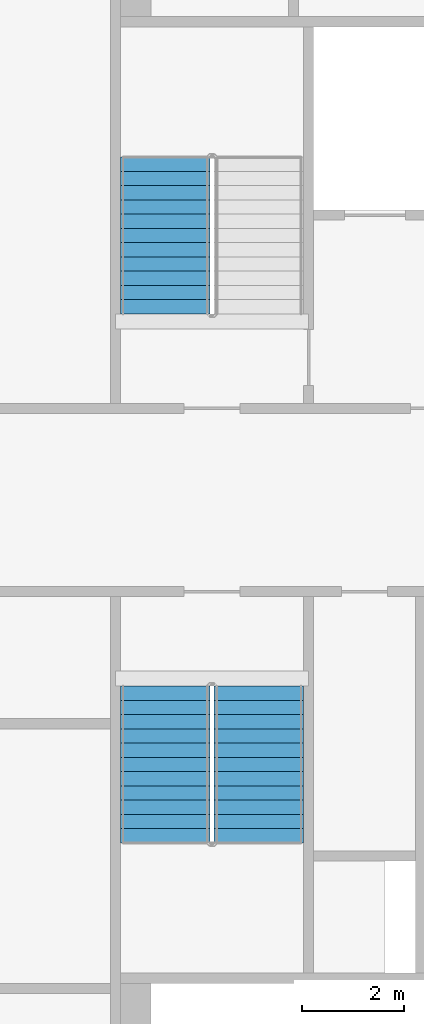
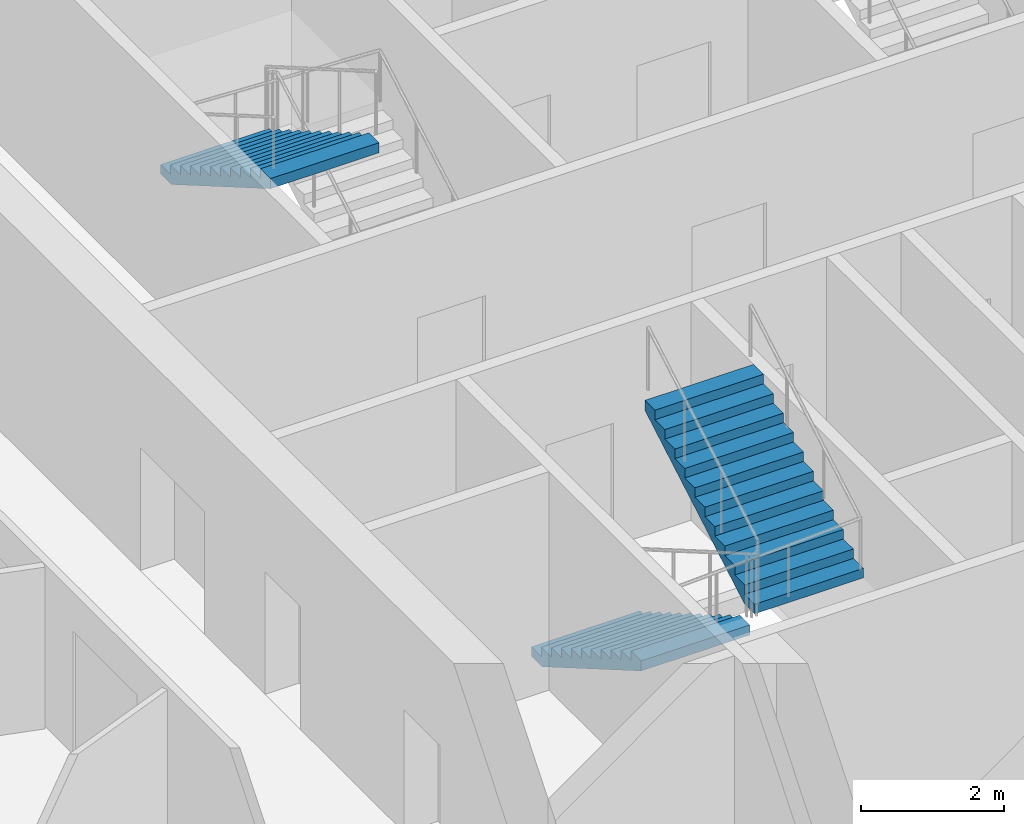
# One storey, part 8 of 15: 3 stair flights, 2 elements without a shape of their own.
"""IFC4 building model written with IfcOpenShell, lengths in metres."""

from ifc_helpers import new_model, si_unit, direction, frame, origin, place, context, subcontext, project, spatial, faceted_brep, material, type_object, element, aggregate, save


model = new_model("IFC4")

# Units and contexts
model_context = context("Model", 3, precision=1e-05, world=origin(), true_north=direction((0.0, 1.0)))
body_context = subcontext(model_context, "Body", "Model", "MODEL_VIEW")
ifc_project = project(units=[si_unit("LENGTHUNIT", "METRE"), si_unit("AREAUNIT", "SQUARE_METRE"), si_unit("VOLUMEUNIT", "CUBIC_METRE"), si_unit("PLANEANGLEUNIT", "RADIAN"), si_unit("MASSUNIT", "GRAM", prefix="KILO")], contexts=[model_context])

# Site, building, storey
site_placement = place(None, origin())
site = spatial("IfcSite", under=ifc_project, at=site_placement, CompositionType="ELEMENT")
building_placement = place(site_placement, origin())
building = spatial("IfcBuilding", under=site, at=building_placement, Name="Tarsis Ring Headquarters", CompositionType="ELEMENT")
storey_placement = place(building_placement, frame((0.0, 0.0, 219.89990234375)))
storey = spatial("IfcBuildingStorey", under=building, at=storey_placement, Name="L51", CompositionType="ELEMENT", Elevation=219.89990234375)

# Stair, stair flight
ifc_material_1 = material(Name="Core stair 1760")
stair_type = type_object("IfcStairType", Name="Core stair 1760", PredefinedType="HALF_TURN_STAIR", material=ifc_material_1)
stair_1_placement = place(storey_placement, origin())
stair_1 = element("IfcStair", 1, at=stair_1_placement, inside=storey, type_object=stair_type, Name="L51 Firefighting stair", PredefinedType="HALF_TURN_STAIR")
ifc_material_2 = material(Name="Concrete C40/50", Category="concrete")
stair_flight_type = type_object("IfcStairFlightType", Name="Core stair flight 1760", PredefinedType="STRAIGHT", material=ifc_material_2)
stair_flight_1_placement = place(storey_placement, frame((-5.419921875, 6.739990234375, 1.9501953125), z_axis=(0.0, 0.0, 1.0), x_axis=(0.0, -1.0, 0.0)))
stair_flight_1 = element("IfcStairFlight", 2, at=stair_flight_1_placement, type_object=stair_flight_type, Name="Stair ST1 flight 2", NumberOfRisers=12, NumberOfTreads=11, PredefinedType="STRAIGHT", RiserHeight=0.1625, TreadLength=0.28, context=body_context, shape_type="Brep", body=[
    faceted_brep([(0.0, 0.8798828125, 0.0), (0.0, 0.8798828125, 0.16259765625), (0.280029296875, 0.8798828125, 0.16259765625), (0.280029296875, 0.8798828125, 0.324951171875), (0.56005859375, 0.8798828125, 0.324951171875), (0.56005859375, 0.8798828125, 0.487548828125), (0.840087890625, 0.8798828125, 0.487548828125), (0.840087890625, 0.8798828125, 0.64990234375), (1.1201171875, 0.8798828125, 0.64990234375), (1.1201171875, 0.8798828125, 0.8125), (1.39990234375, 0.8798828125, 0.8125), (1.39990234375, 0.8798828125, 0.97509765625), (1.679931640625, 0.8798828125, 0.97509765625), (1.679931640625, 0.8798828125, 1.137451171875), (1.9599609375, 0.8798828125, 1.137451171875), (1.9599609375, 0.8798828125, 1.300048828125), (2.239990234375, 0.8798828125, 1.300048828125), (2.239990234375, 0.8798828125, 1.46240234375), (2.52001953125, 0.8798828125, 1.46240234375), (2.52001953125, 0.8798828125, 1.625), (2.800048828125, 0.8798828125, 1.625), (2.800048828125, 0.8798828125, 1.78759765625), (3.080078125, 0.8798828125, 1.78759765625), (3.080078125, 0.8798828125, 1.6142578125), (0.298583984375, 0.8798828125, 0.0), (0.298583984375, -0.8798828125, 0.0), (3.080078125, -0.8798828125, 1.6142578125), (3.080078125, -0.8798828125, 1.78759765625), (2.800048828125, -0.8798828125, 1.78759765625), (2.800048828125, -0.8798828125, 1.625), (2.52001953125, -0.8798828125, 1.625), (2.52001953125, -0.8798828125, 1.46240234375), (2.239990234375, -0.8798828125, 1.46240234375), (2.239990234375, -0.8798828125, 1.300048828125), (1.9599609375, -0.8798828125, 1.300048828125), (1.9599609375, -0.8798828125, 1.137451171875), (1.679931640625, -0.8798828125, 1.137451171875), (1.679931640625, -0.8798828125, 0.97509765625), (1.39990234375, -0.8798828125, 0.97509765625), (1.39990234375, -0.8798828125, 0.8125), (1.1201171875, -0.8798828125, 0.8125), (1.1201171875, -0.8798828125, 0.64990234375), (0.840087890625, -0.8798828125, 0.64990234375), (0.840087890625, -0.8798828125, 0.487548828125), (0.56005859375, -0.8798828125, 0.487548828125), (0.56005859375, -0.8798828125, 0.324951171875), (0.280029296875, -0.8798828125, 0.324951171875), (0.280029296875, -0.8798828125, 0.16259765625), (0.0, -0.8798828125, 0.16259765625), (0.0, -0.8798828125, 0.0), (0.0, -0.43994140625, 0.16259765625), (0.0, -0.43994140625, 0.0), (0.0, 0.0, 0.16259765625), (0.0, 0.0, 0.0), (0.0, 0.43994140625, 0.16259765625), (0.0, 0.43994140625, 0.0), (0.280029296875, -0.43994140625, 0.16259765625), (0.280029296875, 0.0, 0.16259765625), (0.280029296875, 0.43994140625, 0.16259765625), (0.280029296875, -0.43994140625, 0.324951171875), (0.280029296875, 0.0, 0.324951171875), (0.280029296875, 0.43994140625, 0.324951171875), (0.56005859375, -0.43994140625, 0.324951171875), (0.56005859375, 0.0, 0.324951171875), (0.56005859375, 0.43994140625, 0.324951171875), (0.56005859375, -0.43994140625, 0.487548828125), (0.56005859375, 0.0, 0.487548828125), (0.56005859375, 0.43994140625, 0.487548828125), (0.840087890625, -0.43994140625, 0.487548828125), (0.840087890625, 0.0, 0.487548828125), (0.840087890625, 0.43994140625, 0.487548828125), (0.840087890625, -0.43994140625, 0.64990234375), (0.840087890625, 0.0, 0.64990234375), (0.840087890625, 0.43994140625, 0.64990234375), (1.1201171875, -0.43994140625, 0.64990234375), (1.1201171875, 0.0, 0.64990234375), (1.1201171875, 0.43994140625, 0.64990234375), (1.1201171875, -0.43994140625, 0.8125), (1.1201171875, 0.0, 0.8125), (1.1201171875, 0.43994140625, 0.8125), (1.39990234375, -0.43994140625, 0.8125), (1.39990234375, 0.0, 0.8125), (1.39990234375, 0.43994140625, 0.8125), (1.39990234375, -0.43994140625, 0.97509765625), (1.39990234375, 0.0, 0.97509765625), (1.39990234375, 0.43994140625, 0.97509765625), (1.679931640625, -0.43994140625, 0.97509765625), (1.679931640625, 0.0, 0.97509765625), (1.679931640625, 0.43994140625, 0.97509765625), (1.679931640625, -0.43994140625, 1.137451171875), (1.679931640625, 0.0, 1.137451171875), (1.679931640625, 0.43994140625, 1.137451171875), (1.9599609375, -0.43994140625, 1.137451171875), (1.9599609375, 0.0, 1.137451171875), (1.9599609375, 0.43994140625, 1.137451171875), (1.9599609375, -0.43994140625, 1.300048828125), (1.9599609375, 0.0, 1.300048828125), (1.9599609375, 0.43994140625, 1.300048828125), (2.239990234375, -0.43994140625, 1.300048828125), (2.239990234375, 0.0, 1.300048828125), (2.239990234375, 0.43994140625, 1.300048828125), (2.239990234375, -0.43994140625, 1.46240234375), (2.239990234375, 0.0, 1.46240234375), (2.239990234375, 0.43994140625, 1.46240234375), (2.52001953125, -0.43994140625, 1.46240234375), (2.52001953125, 0.0, 1.46240234375), (2.52001953125, 0.43994140625, 1.46240234375), (2.52001953125, -0.43994140625, 1.625), (2.52001953125, 0.0, 1.625), (2.52001953125, 0.43994140625, 1.625), (2.800048828125, -0.43994140625, 1.625), (2.800048828125, 0.0, 1.625), (2.800048828125, 0.43994140625, 1.625), (2.800048828125, -0.43994140625, 1.78759765625), (2.800048828125, 0.0, 1.78759765625), (2.800048828125, 0.43994140625, 1.78759765625), (3.080078125, -0.43994140625, 1.78759765625), (3.080078125, 0.0, 1.78759765625), (3.080078125, 0.43994140625, 1.78759765625), (3.080078125, -0.43994140625, 1.6142578125), (3.080078125, 0.0, 1.6142578125), (3.080078125, 0.43994140625, 1.6142578125), (0.298583984375, -0.43994140625, 0.0), (0.298583984375, 0.0, 0.0), (0.298583984375, 0.43994140625, 0.0)], [[[0, 1, 2, 3, 4, 5, 6, 7, 8, 9, 10, 11, 12, 13, 14, 15, 16, 17, 18, 19, 20, 21, 22, 23, 24]], [[25, 26, 27, 28, 29, 30, 31, 32, 33, 34, 35, 36, 37, 38, 39, 40, 41, 42, 43, 44, 45, 46, 47, 48, 49]], [[49, 48, 50, 51]], [[51, 50, 52, 53]], [[53, 52, 54, 55]], [[55, 54, 1, 0]], [[48, 47, 56, 50]], [[50, 56, 57, 52]], [[52, 57, 58, 54]], [[54, 58, 2, 1]], [[47, 46, 59, 56]], [[56, 59, 60, 57]], [[57, 60, 61, 58]], [[58, 61, 3, 2]], [[46, 45, 62, 59]], [[59, 62, 63, 60]], [[60, 63, 64, 61]], [[61, 64, 4, 3]], [[45, 44, 65, 62]], [[62, 65, 66, 63]], [[63, 66, 67, 64]], [[64, 67, 5, 4]], [[44, 43, 68, 65]], [[65, 68, 69, 66]], [[66, 69, 70, 67]], [[67, 70, 6, 5]], [[43, 42, 71, 68]], [[68, 71, 72, 69]], [[69, 72, 73, 70]], [[70, 73, 7, 6]], [[42, 41, 74, 71]], [[71, 74, 75, 72]], [[72, 75, 76, 73]], [[73, 76, 8, 7]], [[41, 40, 77, 74]], [[74, 77, 78, 75]], [[75, 78, 79, 76]], [[76, 79, 9, 8]], [[40, 39, 80, 77]], [[77, 80, 81, 78]], [[78, 81, 82, 79]], [[79, 82, 10, 9]], [[39, 38, 83, 80]], [[80, 83, 84, 81]], [[81, 84, 85, 82]], [[82, 85, 11, 10]], [[38, 37, 86, 83]], [[83, 86, 87, 84]], [[84, 87, 88, 85]], [[85, 88, 12, 11]], [[37, 36, 89, 86]], [[86, 89, 90, 87]], [[87, 90, 91, 88]], [[88, 91, 13, 12]], [[36, 35, 92, 89]], [[89, 92, 93, 90]], [[90, 93, 94, 91]], [[91, 94, 14, 13]], [[35, 34, 95, 92]], [[92, 95, 96, 93]], [[93, 96, 97, 94]], [[94, 97, 15, 14]], [[34, 33, 98, 95]], [[95, 98, 99, 96]], [[96, 99, 100, 97]], [[97, 100, 16, 15]], [[33, 32, 101, 98]], [[98, 101, 102, 99]], [[99, 102, 103, 100]], [[100, 103, 17, 16]], [[32, 31, 104, 101]], [[101, 104, 105, 102]], [[102, 105, 106, 103]], [[103, 106, 18, 17]], [[31, 30, 107, 104]], [[104, 107, 108, 105]], [[105, 108, 109, 106]], [[106, 109, 19, 18]], [[30, 29, 110, 107]], [[107, 110, 111, 108]], [[108, 111, 112, 109]], [[109, 112, 20, 19]], [[29, 28, 113, 110]], [[110, 113, 114, 111]], [[111, 114, 115, 112]], [[112, 115, 21, 20]], [[28, 27, 116, 113]], [[113, 116, 117, 114]], [[114, 117, 118, 115]], [[115, 118, 22, 21]], [[27, 26, 119, 116]], [[116, 119, 120, 117]], [[117, 120, 121, 118]], [[118, 121, 23, 22]], [[26, 25, 122, 119]], [[119, 122, 123, 120]], [[120, 123, 124, 121]], [[121, 124, 24, 23]], [[25, 49, 51, 122]], [[122, 51, 53, 123]], [[123, 53, 55, 124]], [[124, 55, 0, 24]]]),
])
aggregate(stair_1, [stair_flight_1])

# Stair, stair flights
stair_2_placement = place(storey_placement, origin())
stair_2 = element("IfcStair", 3, at=stair_2_placement, inside=storey, type_object=stair_type, Name="L51 Exit stair C", PredefinedType="HALF_TURN_STAIR")
stair_flight_2_placement = place(storey_placement, frame((-5.419921875, -3.659912109375, 0.0), z_axis=(0.0, 0.0, 1.0), x_axis=(0.0, -1.0, 0.0)))
stair_flight_2 = element("IfcStairFlight", 4, at=stair_flight_2_placement, type_object=stair_flight_type, Name="Stair ST3 flight 1", NumberOfRisers=12, NumberOfTreads=11, PredefinedType="STRAIGHT", RiserHeight=0.1625, TreadLength=0.28, context=body_context, shape_type="Brep", body=[
    faceted_brep([(0.0, 0.8798828125, 0.0), (0.0, 0.8798828125, 0.16259765625), (0.280029296875, 0.8798828125, 0.16259765625), (0.280029296875, 0.8798828125, 0.324951171875), (0.56005859375, 0.8798828125, 0.324951171875), (0.56005859375, 0.8798828125, 0.487548828125), (0.840087890625, 0.8798828125, 0.487548828125), (0.840087890625, 0.8798828125, 0.64990234375), (1.1201171875, 0.8798828125, 0.64990234375), (1.1201171875, 0.8798828125, 0.8125), (1.39990234375, 0.8798828125, 0.8125), (1.39990234375, 0.8798828125, 0.97509765625), (1.679931640625, 0.8798828125, 0.97509765625), (1.679931640625, 0.8798828125, 1.137451171875), (1.9599609375, 0.8798828125, 1.137451171875), (1.9599609375, 0.8798828125, 1.300048828125), (2.239990234375, 0.8798828125, 1.300048828125), (2.239990234375, 0.8798828125, 1.46240234375), (2.52001953125, 0.8798828125, 1.46240234375), (2.52001953125, 0.8798828125, 1.625), (2.800048828125, 0.8798828125, 1.625), (2.800048828125, 0.8798828125, 1.78759765625), (3.080078125, 0.8798828125, 1.78759765625), (3.080078125, 0.8798828125, 1.6142578125), (0.298583984375, 0.8798828125, 0.0), (0.298583984375, -0.8798828125, 0.0), (3.080078125, -0.8798828125, 1.6142578125), (3.080078125, -0.8798828125, 1.78759765625), (2.800048828125, -0.8798828125, 1.78759765625), (2.800048828125, -0.8798828125, 1.625), (2.52001953125, -0.8798828125, 1.625), (2.52001953125, -0.8798828125, 1.46240234375), (2.239990234375, -0.8798828125, 1.46240234375), (2.239990234375, -0.8798828125, 1.300048828125), (1.9599609375, -0.8798828125, 1.300048828125), (1.9599609375, -0.8798828125, 1.137451171875), (1.679931640625, -0.8798828125, 1.137451171875), (1.679931640625, -0.8798828125, 0.97509765625), (1.39990234375, -0.8798828125, 0.97509765625), (1.39990234375, -0.8798828125, 0.8125), (1.1201171875, -0.8798828125, 0.8125), (1.1201171875, -0.8798828125, 0.64990234375), (0.840087890625, -0.8798828125, 0.64990234375), (0.840087890625, -0.8798828125, 0.487548828125), (0.56005859375, -0.8798828125, 0.487548828125), (0.56005859375, -0.8798828125, 0.324951171875), (0.280029296875, -0.8798828125, 0.324951171875), (0.280029296875, -0.8798828125, 0.16259765625), (0.0, -0.8798828125, 0.16259765625), (0.0, -0.8798828125, 0.0), (0.0, -0.43994140625, 0.16259765625), (0.0, -0.43994140625, 0.0), (0.0, 0.0, 0.16259765625), (0.0, 0.0, 0.0), (0.0, 0.43994140625, 0.16259765625), (0.0, 0.43994140625, 0.0), (0.280029296875, -0.43994140625, 0.16259765625), (0.280029296875, 0.0, 0.16259765625), (0.280029296875, 0.43994140625, 0.16259765625), (0.280029296875, -0.43994140625, 0.324951171875), (0.280029296875, 0.0, 0.324951171875), (0.280029296875, 0.43994140625, 0.324951171875), (0.56005859375, -0.43994140625, 0.324951171875), (0.56005859375, 0.0, 0.324951171875), (0.56005859375, 0.43994140625, 0.324951171875), (0.56005859375, -0.43994140625, 0.487548828125), (0.56005859375, 0.0, 0.487548828125), (0.56005859375, 0.43994140625, 0.487548828125), (0.840087890625, -0.43994140625, 0.487548828125), (0.840087890625, 0.0, 0.487548828125), (0.840087890625, 0.43994140625, 0.487548828125), (0.840087890625, -0.43994140625, 0.64990234375), (0.840087890625, 0.0, 0.64990234375), (0.840087890625, 0.43994140625, 0.64990234375), (1.1201171875, -0.43994140625, 0.64990234375), (1.1201171875, 0.0, 0.64990234375), (1.1201171875, 0.43994140625, 0.64990234375), (1.1201171875, -0.43994140625, 0.8125), (1.1201171875, 0.0, 0.8125), (1.1201171875, 0.43994140625, 0.8125), (1.39990234375, -0.43994140625, 0.8125), (1.39990234375, 0.0, 0.8125), (1.39990234375, 0.43994140625, 0.8125), (1.39990234375, -0.43994140625, 0.97509765625), (1.39990234375, 0.0, 0.97509765625), (1.39990234375, 0.43994140625, 0.97509765625), (1.679931640625, -0.43994140625, 0.97509765625), (1.679931640625, 0.0, 0.97509765625), (1.679931640625, 0.43994140625, 0.97509765625), (1.679931640625, -0.43994140625, 1.137451171875), (1.679931640625, 0.0, 1.137451171875), (1.679931640625, 0.43994140625, 1.137451171875), (1.9599609375, -0.43994140625, 1.137451171875), (1.9599609375, 0.0, 1.137451171875), (1.9599609375, 0.43994140625, 1.137451171875), (1.9599609375, -0.43994140625, 1.300048828125), (1.9599609375, 0.0, 1.300048828125), (1.9599609375, 0.43994140625, 1.300048828125), (2.239990234375, -0.43994140625, 1.300048828125), (2.239990234375, 0.0, 1.300048828125), (2.239990234375, 0.43994140625, 1.300048828125), (2.239990234375, -0.43994140625, 1.46240234375), (2.239990234375, 0.0, 1.46240234375), (2.239990234375, 0.43994140625, 1.46240234375), (2.52001953125, -0.43994140625, 1.46240234375), (2.52001953125, 0.0, 1.46240234375), (2.52001953125, 0.43994140625, 1.46240234375), (2.52001953125, -0.43994140625, 1.625), (2.52001953125, 0.0, 1.625), (2.52001953125, 0.43994140625, 1.625), (2.800048828125, -0.43994140625, 1.625), (2.800048828125, 0.0, 1.625), (2.800048828125, 0.43994140625, 1.625), (2.800048828125, -0.43994140625, 1.78759765625), (2.800048828125, 0.0, 1.78759765625), (2.800048828125, 0.43994140625, 1.78759765625), (3.080078125, -0.43994140625, 1.78759765625), (3.080078125, 0.0, 1.78759765625), (3.080078125, 0.43994140625, 1.78759765625), (3.080078125, -0.43994140625, 1.6142578125), (3.080078125, 0.0, 1.6142578125), (3.080078125, 0.43994140625, 1.6142578125), (0.298583984375, -0.43994140625, 0.0), (0.298583984375, 0.0, 0.0), (0.298583984375, 0.43994140625, 0.0)], [[[0, 1, 2, 3, 4, 5, 6, 7, 8, 9, 10, 11, 12, 13, 14, 15, 16, 17, 18, 19, 20, 21, 22, 23, 24]], [[25, 26, 27, 28, 29, 30, 31, 32, 33, 34, 35, 36, 37, 38, 39, 40, 41, 42, 43, 44, 45, 46, 47, 48, 49]], [[49, 48, 50, 51]], [[51, 50, 52, 53]], [[53, 52, 54, 55]], [[55, 54, 1, 0]], [[48, 47, 56, 50]], [[50, 56, 57, 52]], [[52, 57, 58, 54]], [[54, 58, 2, 1]], [[47, 46, 59, 56]], [[56, 59, 60, 57]], [[57, 60, 61, 58]], [[58, 61, 3, 2]], [[46, 45, 62, 59]], [[59, 62, 63, 60]], [[60, 63, 64, 61]], [[61, 64, 4, 3]], [[45, 44, 65, 62]], [[62, 65, 66, 63]], [[63, 66, 67, 64]], [[64, 67, 5, 4]], [[44, 43, 68, 65]], [[65, 68, 69, 66]], [[66, 69, 70, 67]], [[67, 70, 6, 5]], [[43, 42, 71, 68]], [[68, 71, 72, 69]], [[69, 72, 73, 70]], [[70, 73, 7, 6]], [[42, 41, 74, 71]], [[71, 74, 75, 72]], [[72, 75, 76, 73]], [[73, 76, 8, 7]], [[41, 40, 77, 74]], [[74, 77, 78, 75]], [[75, 78, 79, 76]], [[76, 79, 9, 8]], [[40, 39, 80, 77]], [[77, 80, 81, 78]], [[78, 81, 82, 79]], [[79, 82, 10, 9]], [[39, 38, 83, 80]], [[80, 83, 84, 81]], [[81, 84, 85, 82]], [[82, 85, 11, 10]], [[38, 37, 86, 83]], [[83, 86, 87, 84]], [[84, 87, 88, 85]], [[85, 88, 12, 11]], [[37, 36, 89, 86]], [[86, 89, 90, 87]], [[87, 90, 91, 88]], [[88, 91, 13, 12]], [[36, 35, 92, 89]], [[89, 92, 93, 90]], [[90, 93, 94, 91]], [[91, 94, 14, 13]], [[35, 34, 95, 92]], [[92, 95, 96, 93]], [[93, 96, 97, 94]], [[94, 97, 15, 14]], [[34, 33, 98, 95]], [[95, 98, 99, 96]], [[96, 99, 100, 97]], [[97, 100, 16, 15]], [[33, 32, 101, 98]], [[98, 101, 102, 99]], [[99, 102, 103, 100]], [[100, 103, 17, 16]], [[32, 31, 104, 101]], [[101, 104, 105, 102]], [[102, 105, 106, 103]], [[103, 106, 18, 17]], [[31, 30, 107, 104]], [[104, 107, 108, 105]], [[105, 108, 109, 106]], [[106, 109, 19, 18]], [[30, 29, 110, 107]], [[107, 110, 111, 108]], [[108, 111, 112, 109]], [[109, 112, 20, 19]], [[29, 28, 113, 110]], [[110, 113, 114, 111]], [[111, 114, 115, 112]], [[112, 115, 21, 20]], [[28, 27, 116, 113]], [[113, 116, 117, 114]], [[114, 117, 118, 115]], [[115, 118, 22, 21]], [[27, 26, 119, 116]], [[116, 119, 120, 117]], [[117, 120, 121, 118]], [[118, 121, 23, 22]], [[26, 25, 122, 119]], [[119, 122, 123, 120]], [[120, 123, 124, 121]], [[121, 124, 24, 23]], [[25, 49, 51, 122]], [[122, 51, 53, 123]], [[123, 53, 55, 124]], [[124, 55, 0, 24]]]),
])
stair_flight_3_placement = place(storey_placement, frame((-3.580078125, -6.739990234375, 1.9501953125), z_axis=(0.0, 0.0, 1.0), x_axis=(0.0, 1.0, 0.0)))
stair_flight_3 = element("IfcStairFlight", 5, at=stair_flight_3_placement, type_object=stair_flight_type, Name="Stair ST3 flight 2", NumberOfRisers=12, NumberOfTreads=11, PredefinedType="STRAIGHT", RiserHeight=0.1625, TreadLength=0.28, context=body_context, shape_type="Brep", body=[
    faceted_brep([(0.0, 0.8798828125, 0.0), (0.0, 0.8798828125, 0.16259765625), (0.280029296875, 0.8798828125, 0.16259765625), (0.280029296875, 0.8798828125, 0.324951171875), (0.56005859375, 0.8798828125, 0.324951171875), (0.56005859375, 0.8798828125, 0.487548828125), (0.840087890625, 0.8798828125, 0.487548828125), (0.840087890625, 0.8798828125, 0.64990234375), (1.1201171875, 0.8798828125, 0.64990234375), (1.1201171875, 0.8798828125, 0.8125), (1.39990234375, 0.8798828125, 0.8125), (1.39990234375, 0.8798828125, 0.97509765625), (1.679931640625, 0.8798828125, 0.97509765625), (1.679931640625, 0.8798828125, 1.137451171875), (1.9599609375, 0.8798828125, 1.137451171875), (1.9599609375, 0.8798828125, 1.300048828125), (2.239990234375, 0.8798828125, 1.300048828125), (2.239990234375, 0.8798828125, 1.46240234375), (2.52001953125, 0.8798828125, 1.46240234375), (2.52001953125, 0.8798828125, 1.625), (2.800048828125, 0.8798828125, 1.625), (2.800048828125, 0.8798828125, 1.78759765625), (3.080078125, 0.8798828125, 1.78759765625), (3.080078125, 0.8798828125, 1.6142578125), (0.298583984375, 0.8798828125, 0.0), (0.298583984375, -0.8798828125, 0.0), (3.080078125, -0.8798828125, 1.6142578125), (3.080078125, -0.8798828125, 1.78759765625), (2.800048828125, -0.8798828125, 1.78759765625), (2.800048828125, -0.8798828125, 1.625), (2.52001953125, -0.8798828125, 1.625), (2.52001953125, -0.8798828125, 1.46240234375), (2.239990234375, -0.8798828125, 1.46240234375), (2.239990234375, -0.8798828125, 1.300048828125), (1.9599609375, -0.8798828125, 1.300048828125), (1.9599609375, -0.8798828125, 1.137451171875), (1.679931640625, -0.8798828125, 1.137451171875), (1.679931640625, -0.8798828125, 0.97509765625), (1.39990234375, -0.8798828125, 0.97509765625), (1.39990234375, -0.8798828125, 0.8125), (1.1201171875, -0.8798828125, 0.8125), (1.1201171875, -0.8798828125, 0.64990234375), (0.840087890625, -0.8798828125, 0.64990234375), (0.840087890625, -0.8798828125, 0.487548828125), (0.56005859375, -0.8798828125, 0.487548828125), (0.56005859375, -0.8798828125, 0.324951171875), (0.280029296875, -0.8798828125, 0.324951171875), (0.280029296875, -0.8798828125, 0.16259765625), (0.0, -0.8798828125, 0.16259765625), (0.0, -0.8798828125, 0.0), (0.0, -0.43994140625, 0.16259765625), (0.0, -0.43994140625, 0.0), (0.0, 0.0, 0.16259765625), (0.0, 0.0, 0.0), (0.0, 0.43994140625, 0.16259765625), (0.0, 0.43994140625, 0.0), (0.280029296875, -0.43994140625, 0.16259765625), (0.280029296875, 0.0, 0.16259765625), (0.280029296875, 0.43994140625, 0.16259765625), (0.280029296875, -0.43994140625, 0.324951171875), (0.280029296875, 0.0, 0.324951171875), (0.280029296875, 0.43994140625, 0.324951171875), (0.56005859375, -0.43994140625, 0.324951171875), (0.56005859375, 0.0, 0.324951171875), (0.56005859375, 0.43994140625, 0.324951171875), (0.56005859375, -0.43994140625, 0.487548828125), (0.56005859375, 0.0, 0.487548828125), (0.56005859375, 0.43994140625, 0.487548828125), (0.840087890625, -0.43994140625, 0.487548828125), (0.840087890625, 0.0, 0.487548828125), (0.840087890625, 0.43994140625, 0.487548828125), (0.840087890625, -0.43994140625, 0.64990234375), (0.840087890625, 0.0, 0.64990234375), (0.840087890625, 0.43994140625, 0.64990234375), (1.1201171875, -0.43994140625, 0.64990234375), (1.1201171875, 0.0, 0.64990234375), (1.1201171875, 0.43994140625, 0.64990234375), (1.1201171875, -0.43994140625, 0.8125), (1.1201171875, 0.0, 0.8125), (1.1201171875, 0.43994140625, 0.8125), (1.39990234375, -0.43994140625, 0.8125), (1.39990234375, 0.0, 0.8125), (1.39990234375, 0.43994140625, 0.8125), (1.39990234375, -0.43994140625, 0.97509765625), (1.39990234375, 0.0, 0.97509765625), (1.39990234375, 0.43994140625, 0.97509765625), (1.679931640625, -0.43994140625, 0.97509765625), (1.679931640625, 0.0, 0.97509765625), (1.679931640625, 0.43994140625, 0.97509765625), (1.679931640625, -0.43994140625, 1.137451171875), (1.679931640625, 0.0, 1.137451171875), (1.679931640625, 0.43994140625, 1.137451171875), (1.9599609375, -0.43994140625, 1.137451171875), (1.9599609375, 0.0, 1.137451171875), (1.9599609375, 0.43994140625, 1.137451171875), (1.9599609375, -0.43994140625, 1.300048828125), (1.9599609375, 0.0, 1.300048828125), (1.9599609375, 0.43994140625, 1.300048828125), (2.239990234375, -0.43994140625, 1.300048828125), (2.239990234375, 0.0, 1.300048828125), (2.239990234375, 0.43994140625, 1.300048828125), (2.239990234375, -0.43994140625, 1.46240234375), (2.239990234375, 0.0, 1.46240234375), (2.239990234375, 0.43994140625, 1.46240234375), (2.52001953125, -0.43994140625, 1.46240234375), (2.52001953125, 0.0, 1.46240234375), (2.52001953125, 0.43994140625, 1.46240234375), (2.52001953125, -0.43994140625, 1.625), (2.52001953125, 0.0, 1.625), (2.52001953125, 0.43994140625, 1.625), (2.800048828125, -0.43994140625, 1.625), (2.800048828125, 0.0, 1.625), (2.800048828125, 0.43994140625, 1.625), (2.800048828125, -0.43994140625, 1.78759765625), (2.800048828125, 0.0, 1.78759765625), (2.800048828125, 0.43994140625, 1.78759765625), (3.080078125, -0.43994140625, 1.78759765625), (3.080078125, 0.0, 1.78759765625), (3.080078125, 0.43994140625, 1.78759765625), (3.080078125, -0.43994140625, 1.6142578125), (3.080078125, 0.0, 1.6142578125), (3.080078125, 0.43994140625, 1.6142578125), (0.298583984375, -0.43994140625, 0.0), (0.298583984375, 0.0, 0.0), (0.298583984375, 0.43994140625, 0.0)], [[[0, 1, 2, 3, 4, 5, 6, 7, 8, 9, 10, 11, 12, 13, 14, 15, 16, 17, 18, 19, 20, 21, 22, 23, 24]], [[25, 26, 27, 28, 29, 30, 31, 32, 33, 34, 35, 36, 37, 38, 39, 40, 41, 42, 43, 44, 45, 46, 47, 48, 49]], [[49, 48, 50, 51]], [[51, 50, 52, 53]], [[53, 52, 54, 55]], [[55, 54, 1, 0]], [[48, 47, 56, 50]], [[50, 56, 57, 52]], [[52, 57, 58, 54]], [[54, 58, 2, 1]], [[47, 46, 59, 56]], [[56, 59, 60, 57]], [[57, 60, 61, 58]], [[58, 61, 3, 2]], [[46, 45, 62, 59]], [[59, 62, 63, 60]], [[60, 63, 64, 61]], [[61, 64, 4, 3]], [[45, 44, 65, 62]], [[62, 65, 66, 63]], [[63, 66, 67, 64]], [[64, 67, 5, 4]], [[44, 43, 68, 65]], [[65, 68, 69, 66]], [[66, 69, 70, 67]], [[67, 70, 6, 5]], [[43, 42, 71, 68]], [[68, 71, 72, 69]], [[69, 72, 73, 70]], [[70, 73, 7, 6]], [[42, 41, 74, 71]], [[71, 74, 75, 72]], [[72, 75, 76, 73]], [[73, 76, 8, 7]], [[41, 40, 77, 74]], [[74, 77, 78, 75]], [[75, 78, 79, 76]], [[76, 79, 9, 8]], [[40, 39, 80, 77]], [[77, 80, 81, 78]], [[78, 81, 82, 79]], [[79, 82, 10, 9]], [[39, 38, 83, 80]], [[80, 83, 84, 81]], [[81, 84, 85, 82]], [[82, 85, 11, 10]], [[38, 37, 86, 83]], [[83, 86, 87, 84]], [[84, 87, 88, 85]], [[85, 88, 12, 11]], [[37, 36, 89, 86]], [[86, 89, 90, 87]], [[87, 90, 91, 88]], [[88, 91, 13, 12]], [[36, 35, 92, 89]], [[89, 92, 93, 90]], [[90, 93, 94, 91]], [[91, 94, 14, 13]], [[35, 34, 95, 92]], [[92, 95, 96, 93]], [[93, 96, 97, 94]], [[94, 97, 15, 14]], [[34, 33, 98, 95]], [[95, 98, 99, 96]], [[96, 99, 100, 97]], [[97, 100, 16, 15]], [[33, 32, 101, 98]], [[98, 101, 102, 99]], [[99, 102, 103, 100]], [[100, 103, 17, 16]], [[32, 31, 104, 101]], [[101, 104, 105, 102]], [[102, 105, 106, 103]], [[103, 106, 18, 17]], [[31, 30, 107, 104]], [[104, 107, 108, 105]], [[105, 108, 109, 106]], [[106, 109, 19, 18]], [[30, 29, 110, 107]], [[107, 110, 111, 108]], [[108, 111, 112, 109]], [[109, 112, 20, 19]], [[29, 28, 113, 110]], [[110, 113, 114, 111]], [[111, 114, 115, 112]], [[112, 115, 21, 20]], [[28, 27, 116, 113]], [[113, 116, 117, 114]], [[114, 117, 118, 115]], [[115, 118, 22, 21]], [[27, 26, 119, 116]], [[116, 119, 120, 117]], [[117, 120, 121, 118]], [[118, 121, 23, 22]], [[26, 25, 122, 119]], [[119, 122, 123, 120]], [[120, 123, 124, 121]], [[121, 124, 24, 23]], [[25, 49, 51, 122]], [[122, 51, 53, 123]], [[123, 53, 55, 124]], [[124, 55, 0, 24]]]),
])
aggregate(stair_2, [stair_flight_2, stair_flight_3])

save(model, "model.ifc")
